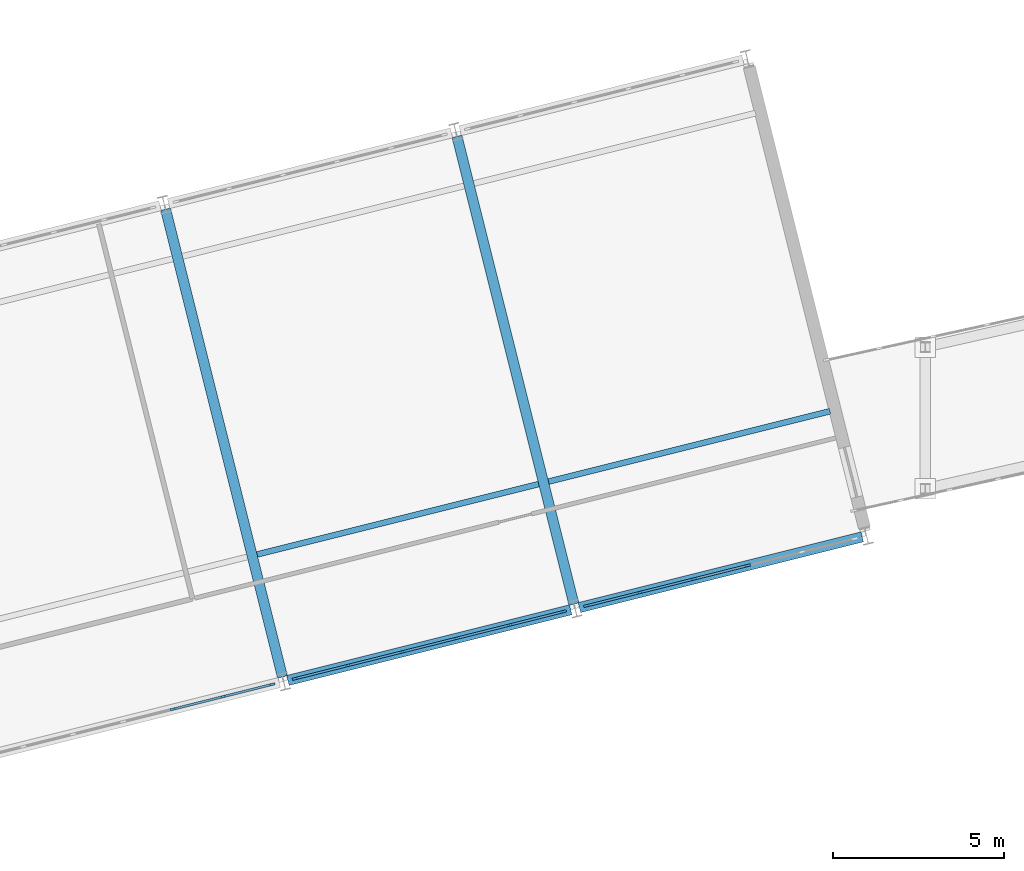
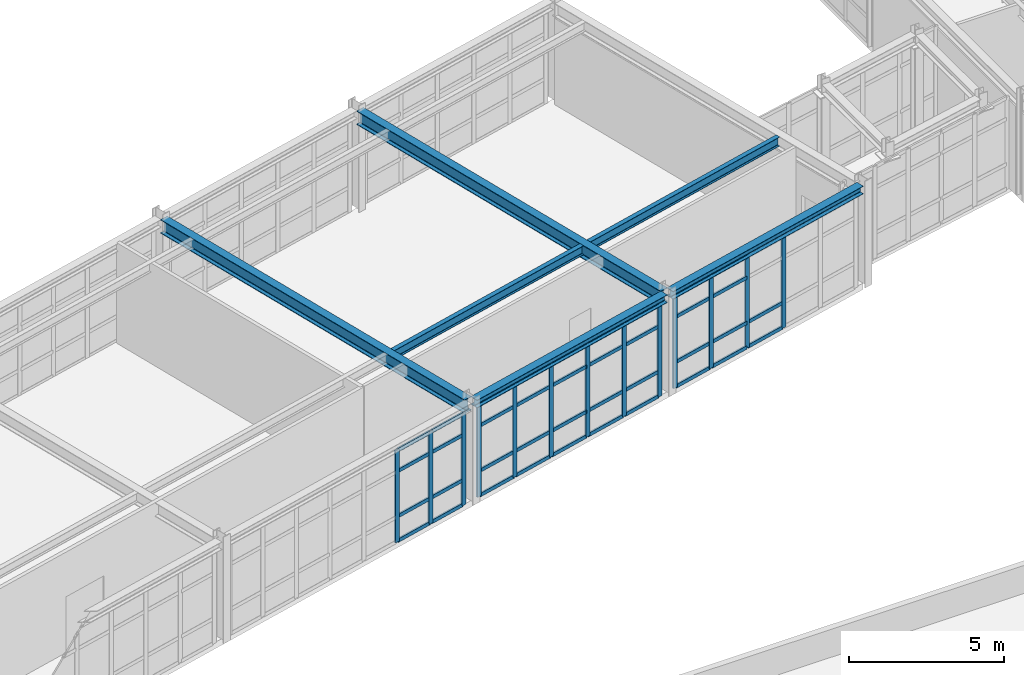
# One storey, part 31 of 99: 51 members, 6 beams, 3 elements without a shape of their own.
"""IFC4 building model written with IfcOpenShell, lengths in metres."""

from ifc_helpers import new_model, si_unit, direction, frame, origin, origin_2d, place, context, subcontext, project, spatial, rectangle, i_section, extrude, material, layer, layer_set, material_profile, profile_set, type_object, element, aggregate, save


model = new_model("IFC4")

# Units and contexts
model_context = context("Model", 3, precision=1e-05, world=origin(), true_north=direction((0.0, 1.0)))
body_context = subcontext(model_context, "Body", "Model", "MODEL_VIEW")
ifc_project = project(units=[si_unit("LENGTHUNIT", "METRE"), si_unit("AREAUNIT", "SQUARE_METRE"), si_unit("VOLUMEUNIT", "CUBIC_METRE"), si_unit("PLANEANGLEUNIT", "RADIAN"), si_unit("MASSUNIT", "GRAM", prefix="KILO")], contexts=[model_context])

# Site, building, storey
site_placement = place(None, origin())
site = spatial("IfcSite", under=ifc_project, at=site_placement, CompositionType="ELEMENT")
building_placement = place(site_placement, origin())
building = spatial("IfcBuilding", under=site, at=building_placement, Name="Nordkorset Police Headquarters", CompositionType="ELEMENT")
storey_placement = place(building_placement, frame((0.0, 0.0, 5.25)))
storey = spatial("IfcBuildingStorey", under=building, at=storey_placement, Name="L01", CompositionType="ELEMENT", Elevation=5.25)

# Beams
ifc_material_1 = material(Name="Steel S355J2", Category="steel")
ifc_material_profile_1 = material_profile(ifc_material_1, i_section(OverallWidth=0.169921875, OverallDepth=0.360107421875, WebThickness=0.008056640625, FlangeThickness=0.0126953125, FilletRadius=0.01806640625, at=origin_2d()), Name="IPE 360")
ifc_profile_set_1 = profile_set([ifc_material_profile_1], Name="Steel S355J2")
beam_type_1 = type_object("IfcBeamType", Name="Beam_IPE_360", PredefinedType="BEAM", material=ifc_profile_set_1)
for number, where, z_axis, x_axis, name in (
    (1, (61.629638671875, 55.42431640625, 3.780029296875), (0.970142500145, 0.242535625036, 0.0), (-0.242535625036, 0.970142500145, 0.0), "Splayed Wing Secondary Beam L01 4-1"),
    (2, (70.166748046875, 57.55859375, 3.780029296875), (0.970144189653, 0.242528866904, 0.0), (-0.242528866904, 0.970144189653, 0.0), "Splayed Wing Secondary Beam L01 5-1"),
):
    element("IfcBeam", number, at=place(storey_placement, frame(where, z_axis=z_axis, x_axis=x_axis)), inside=storey, type_object=beam_type_1, Name=name, PredefinedType="BEAM", context=body_context, shape_type="SweptSolid", body=[
        extrude(i_section(OverallWidth=0.169921875, OverallDepth=0.360107421875, WebThickness=0.008056640625, FlangeThickness=0.0126953125, FilletRadius=0.01806640625, at=origin_2d()), origin(), (0.0, 0.0, 1.0), 8.5),
    ])

# Curtain wall, members
ifc_material_2 = material(Name="Aluminium alloy AW-6060", Category="aluminium")
ifc_layer_1 = layer(ifc_material_2, 0.179931640625, Name="Aluminium alloy AW-6060")
ifc_layer_set_1 = layer_set([ifc_layer_1], Name="Aluminium alloy AW-6060")
curtain_wall_type_1 = type_object("IfcCurtainWallType", Name="CW_Unit_1056x363", PredefinedType="USERDEFINED", material=ifc_layer_set_1)
curtain_wall_1_placement = place(storey_placement, origin())
curtain_wall_1 = element("IfcCurtainWall", 3, at=curtain_wall_1_placement, inside=storey, type_object=curtain_wall_type_1, Name="Unitised Curtain Wall L01 V4S-3", ObjectType="UNITISED CURTAIN WALL", PredefinedType="USERDEFINED")
ifc_material_3 = material(Name="Aluminium alloy AW-6060", Category="aluminium")
ifc_material_profile_2 = material_profile(ifc_material_3, rectangle(XDim=0.06494140625, YDim=0.179931640625, at=origin_2d()), Name="ALU MULL 65x180")
ifc_profile_set_2 = profile_set([ifc_material_profile_2], Name="Aluminium alloy AW-6060")
member_type_1 = type_object("IfcMemberType", Name="CW_Mullion_65x180", PredefinedType="MULLION", material=ifc_profile_set_2)
member_1_placement = place(storey_placement, frame((59.168212890625, 50.89208984375, 0.0), z_axis=(0.0, 0.0, 1.0), x_axis=(-0.242535179399, 0.970142611554, 0.0)))
member_1 = element("IfcMember", 4, at=member_1_placement, type_object=member_type_1, Name="CW-96 mullion 6", PredefinedType="MULLION", context=body_context, shape_type="SweptSolid", body=[
    extrude(rectangle(XDim=0.06494140625, YDim=0.179931640625, at=origin_2d()), origin(), (0.0, 0.0, 1.0), 3.6298828125),
])
member_2_placement = place(storey_placement, frame((60.6318359375, 51.2578125, 0.0), z_axis=(0.0, 0.0, 1.0), x_axis=(-0.242535179399, 0.970142611554, 0.0)))
member_2 = element("IfcMember", 5, at=member_2_placement, type_object=member_type_1, Name="CW-96 mullion 7", PredefinedType="MULLION", context=body_context, shape_type="SweptSolid", body=[
    extrude(rectangle(XDim=0.06494140625, YDim=0.179931640625, at=origin_2d()), origin(), (0.0, 0.0, 1.0), 3.6298828125),
])
member_3_placement = place(storey_placement, frame((62.063720703125, 51.615966796875, 0.0), z_axis=(0.0, 0.0, 1.0), x_axis=(-0.242535179399, 0.970142611554, 0.0)))
member_3 = element("IfcMember", 6, at=member_3_placement, type_object=member_type_1, Name="CW-96 mullion 8", PredefinedType="MULLION", context=body_context, shape_type="SweptSolid", body=[
    extrude(rectangle(XDim=0.06494140625, YDim=0.179931640625, at=origin_2d()), origin(), (0.0, 0.0, 1.0), 3.6298828125),
])

ifc_material_4 = material(Name="Aluminium alloy AW-6060", Category="aluminium")
ifc_layer_2 = layer(ifc_material_4, 0.179931640625, Name="Aluminium alloy AW-6060")
ifc_layer_set_2 = layer_set([ifc_layer_2], Name="Aluminium alloy AW-6060")
curtain_wall_type_2 = type_object("IfcCurtainWallType", Name="CW_Unit_816x363", PredefinedType="USERDEFINED", material=ifc_layer_set_2)
curtain_wall_2_placement = place(storey_placement, origin())
curtain_wall_2 = element("IfcCurtainWall", 7, at=curtain_wall_2_placement, inside=storey, type_object=curtain_wall_type_2, Name="Unitised Curtain Wall L01 V4S-4", ObjectType="UNITISED CURTAIN WALL", PredefinedType="USERDEFINED")
member_4_placement = place(storey_placement, frame((62.74755859375, 51.786865234375, 0.0), z_axis=(0.0, 0.0, 1.0), x_axis=(-0.242535625038, 0.970142500145, 0.0)))
member_4 = element("IfcMember", 8, at=member_4_placement, type_object=member_type_1, Name="CW-34 mullion 1", PredefinedType="MULLION", context=body_context, shape_type="SweptSolid", body=[
    extrude(rectangle(XDim=0.06494140625, YDim=0.179931640625, at=origin_2d()), origin(), (0.0, 0.0, 1.0), 3.6298828125),
])
member_5_placement = place(storey_placement, frame((64.29931640625, 52.1748046875, 0.0), z_axis=(0.0, 0.0, 1.0), x_axis=(-0.242535625038, 0.970142500145, 0.0)))
member_5 = element("IfcMember", 9, at=member_5_placement, type_object=member_type_1, Name="CW-34 mullion 2", PredefinedType="MULLION", context=body_context, shape_type="SweptSolid", body=[
    extrude(rectangle(XDim=0.06494140625, YDim=0.179931640625, at=origin_2d()), origin(), (0.0, 0.0, 1.0), 3.6298828125),
])
member_6_placement = place(storey_placement, frame((65.8828125, 52.570556640625, 0.0), z_axis=(0.0, 0.0, 1.0), x_axis=(-0.242535625038, 0.970142500145, 0.0)))
member_6 = element("IfcMember", 10, at=member_6_placement, type_object=member_type_1, Name="CW-34 mullion 3", PredefinedType="MULLION", context=body_context, shape_type="SweptSolid", body=[
    extrude(rectangle(XDim=0.06494140625, YDim=0.179931640625, at=origin_2d()), origin(), (0.0, 0.0, 1.0), 3.6298828125),
])
member_7_placement = place(storey_placement, frame((67.466064453125, 52.966552734375, 0.0), z_axis=(0.0, 0.0, 1.0), x_axis=(-0.242535625038, 0.970142500145, 0.0)))
member_7 = element("IfcMember", 11, at=member_7_placement, type_object=member_type_1, Name="CW-34 mullion 4", PredefinedType="MULLION", context=body_context, shape_type="SweptSolid", body=[
    extrude(rectangle(XDim=0.06494140625, YDim=0.179931640625, at=origin_2d()), origin(), (0.0, 0.0, 1.0), 3.6298828125),
])
member_8_placement = place(storey_placement, frame((69.04931640625, 53.3623046875, 0.0), z_axis=(0.0, 0.0, 1.0), x_axis=(-0.242535625038, 0.970142500145, 0.0)))
member_8 = element("IfcMember", 12, at=member_8_placement, type_object=member_type_1, Name="CW-34 mullion 5", PredefinedType="MULLION", context=body_context, shape_type="SweptSolid", body=[
    extrude(rectangle(XDim=0.06494140625, YDim=0.179931640625, at=origin_2d()), origin(), (0.0, 0.0, 1.0), 3.6298828125),
])
member_9_placement = place(storey_placement, frame((70.60107421875, 53.750244140625, 0.0), z_axis=(0.0, 0.0, 1.0), x_axis=(-0.242535625038, 0.970142500145, 0.0)))
member_9 = element("IfcMember", 13, at=member_9_placement, type_object=member_type_1, Name="CW-34 mullion 6", PredefinedType="MULLION", context=body_context, shape_type="SweptSolid", body=[
    extrude(rectangle(XDim=0.06494140625, YDim=0.179931640625, at=origin_2d()), origin(), (0.0, 0.0, 1.0), 3.6298828125),
])

curtain_wall_3_placement = place(storey_placement, origin())
curtain_wall_3 = element("IfcCurtainWall", 14, at=curtain_wall_3_placement, inside=storey, type_object=curtain_wall_type_2, Name="Unitised Curtain Wall L01 V4S-5", ObjectType="UNITISED CURTAIN WALL", PredefinedType="USERDEFINED")
member_10_placement = place(storey_placement, frame((71.284912109375, 53.921142578125, 0.0), z_axis=(0.0, 0.0, 1.0), x_axis=(-0.242535625038, 0.970142500145, 0.0)))
member_10 = element("IfcMember", 15, at=member_10_placement, type_object=member_type_1, Name="CW-34 mullion 1", PredefinedType="MULLION", context=body_context, shape_type="SweptSolid", body=[
    extrude(rectangle(XDim=0.06494140625, YDim=0.179931640625, at=origin_2d()), origin(), (0.0, 0.0, 1.0), 3.6298828125),
])
member_11_placement = place(storey_placement, frame((72.836669921875, 54.30908203125, 0.0), z_axis=(0.0, 0.0, 1.0), x_axis=(-0.242535625038, 0.970142500145, 0.0)))
member_11 = element("IfcMember", 16, at=member_11_placement, type_object=member_type_1, Name="CW-34 mullion 2", PredefinedType="MULLION", context=body_context, shape_type="SweptSolid", body=[
    extrude(rectangle(XDim=0.06494140625, YDim=0.179931640625, at=origin_2d()), origin(), (0.0, 0.0, 1.0), 3.6298828125),
])
member_12_placement = place(storey_placement, frame((74.419921875, 54.705078125, 0.0), z_axis=(0.0, 0.0, 1.0), x_axis=(-0.242535625038, 0.970142500145, 0.0)))
member_12 = element("IfcMember", 17, at=member_12_placement, type_object=member_type_1, Name="CW-34 mullion 3", PredefinedType="MULLION", context=body_context, shape_type="SweptSolid", body=[
    extrude(rectangle(XDim=0.06494140625, YDim=0.179931640625, at=origin_2d()), origin(), (0.0, 0.0, 1.0), 3.6298828125),
])
member_13_placement = place(storey_placement, frame((76.003173828125, 55.100830078125, 0.0), z_axis=(0.0, 0.0, 1.0), x_axis=(-0.242535625038, 0.970142500145, 0.0)))
member_13 = element("IfcMember", 18, at=member_13_placement, type_object=member_type_1, Name="CW-34 mullion 4", PredefinedType="MULLION", context=body_context, shape_type="SweptSolid", body=[
    extrude(rectangle(XDim=0.06494140625, YDim=0.179931640625, at=origin_2d()), origin(), (0.0, 0.0, 1.0), 3.6298828125),
])

# Member
ifc_material_5 = material(Name="Aluminium alloy AW-6060", Category="aluminium")
ifc_material_profile_3 = material_profile(ifc_material_5, rectangle(XDim=0.06494140625, YDim=0.139892578125, at=origin_2d()), Name="ALU TRAN 65x140")
ifc_profile_set_3 = profile_set([ifc_material_profile_3], Name="Aluminium alloy AW-6060")
member_type_2 = type_object("IfcMemberType", Name="CW_Transom_65x140", PredefinedType="USERDEFINED", material=ifc_profile_set_3)
member_14_placement = place(storey_placement, frame((59.19970703125, 50.89990234375, 0.032470703125), z_axis=(0.970142500145, 0.242535625036, 0.0), x_axis=(-0.242535625036, 0.970142500145, 0.0)))
member_14 = element("IfcMember", 19, at=member_14_placement, type_object=member_type_2, Name="CW-96 transom 6.1", ObjectType="TRANSOM", PredefinedType="USERDEFINED", context=body_context, shape_type="SweptSolid", body=[
    extrude(rectangle(XDim=0.06494140625, YDim=0.139892578125, at=origin_2d()), origin(), (0.0, 0.0, 1.0), 1.443603515625),
])

member_15_placement = place(storey_placement, frame((59.19970703125, 50.89990234375, 1.0), z_axis=(0.970142500145, 0.242535625036, 0.0), x_axis=(-0.242535625036, 0.970142500145, 0.0)))
member_15 = element("IfcMember", 20, at=member_15_placement, type_object=member_type_2, Name="CW-96 transom 6.2", ObjectType="TRANSOM", PredefinedType="USERDEFINED", context=body_context, shape_type="SweptSolid", body=[
    extrude(rectangle(XDim=0.06494140625, YDim=0.139892578125, at=origin_2d()), origin(), (0.0, 0.0, 1.0), 1.443603515625),
])

member_16_placement = place(storey_placement, frame((59.19970703125, 50.89990234375, 2.780029296875), z_axis=(0.970142500145, 0.242535625036, 0.0), x_axis=(-0.242535625036, 0.970142500145, 0.0)))
member_16 = element("IfcMember", 21, at=member_16_placement, type_object=member_type_2, Name="CW-96 transom 6.3", ObjectType="TRANSOM", PredefinedType="USERDEFINED", context=body_context, shape_type="SweptSolid", body=[
    extrude(rectangle(XDim=0.06494140625, YDim=0.139892578125, at=origin_2d()), origin(), (0.0, 0.0, 1.0), 1.443603515625),
])

member_17_placement = place(storey_placement, frame((59.19970703125, 50.89990234375, 3.597412109375), z_axis=(0.970142500145, 0.242535625036, 0.0), x_axis=(-0.242535625036, 0.970142500145, 0.0)))
member_17 = element("IfcMember", 22, at=member_17_placement, type_object=member_type_2, Name="CW-96 transom 6.4", ObjectType="TRANSOM", PredefinedType="USERDEFINED", context=body_context, shape_type="SweptSolid", body=[
    extrude(rectangle(XDim=0.06494140625, YDim=0.139892578125, at=origin_2d()), origin(), (0.0, 0.0, 1.0), 1.443603515625),
])

member_18_placement = place(storey_placement, frame((60.663330078125, 51.265869140625, 0.032470703125), z_axis=(0.970132321548, 0.242576335796, 0.0), x_axis=(-0.242576335796, 0.970132321548, 0.0)))
member_18 = element("IfcMember", 23, at=member_18_placement, type_object=member_type_2, Name="CW-96 transom 7.1", ObjectType="TRANSOM", PredefinedType="USERDEFINED", context=body_context, shape_type="SweptSolid", body=[
    extrude(rectangle(XDim=0.06494140625, YDim=0.139892578125, at=origin_2d()), origin(), (0.0, 0.0, 1.0), 1.4111328125),
])

member_19_placement = place(storey_placement, frame((60.663330078125, 51.265869140625, 1.0), z_axis=(0.970132321548, 0.242576335796, 0.0), x_axis=(-0.242576335796, 0.970132321548, 0.0)))
member_19 = element("IfcMember", 24, at=member_19_placement, type_object=member_type_2, Name="CW-96 transom 7.2", ObjectType="TRANSOM", PredefinedType="USERDEFINED", context=body_context, shape_type="SweptSolid", body=[
    extrude(rectangle(XDim=0.06494140625, YDim=0.139892578125, at=origin_2d()), origin(), (0.0, 0.0, 1.0), 1.4111328125),
])

member_20_placement = place(storey_placement, frame((60.663330078125, 51.265869140625, 2.780029296875), z_axis=(0.970132321548, 0.242576335796, 0.0), x_axis=(-0.242576335796, 0.970132321548, 0.0)))
member_20 = element("IfcMember", 25, at=member_20_placement, type_object=member_type_2, Name="CW-96 transom 7.3", ObjectType="TRANSOM", PredefinedType="USERDEFINED", context=body_context, shape_type="SweptSolid", body=[
    extrude(rectangle(XDim=0.06494140625, YDim=0.139892578125, at=origin_2d()), origin(), (0.0, 0.0, 1.0), 1.4111328125),
])

member_21_placement = place(storey_placement, frame((60.663330078125, 51.265869140625, 3.597412109375), z_axis=(0.970132321548, 0.242576335796, 0.0), x_axis=(-0.242576335796, 0.970132321548, 0.0)))
member_21 = element("IfcMember", 26, at=member_21_placement, type_object=member_type_2, Name="CW-96 transom 7.4", ObjectType="TRANSOM", PredefinedType="USERDEFINED", context=body_context, shape_type="SweptSolid", body=[
    extrude(rectangle(XDim=0.06494140625, YDim=0.139892578125, at=origin_2d()), origin(), (0.0, 0.0, 1.0), 1.4111328125),
])

aggregate(curtain_wall_1, [member_1, member_2, member_3, member_14, member_15, member_16, member_17, member_18, member_19, member_20, member_21])

member_22_placement = place(storey_placement, frame((62.779296875, 51.794921875, 0.032470703125), z_axis=(0.970151859396, 0.242498184963, 0.0), x_axis=(-0.242498184963, 0.970151859396, 0.0)))
member_22 = element("IfcMember", 27, at=member_22_placement, type_object=member_type_2, Name="CW-34 transom 1.1", ObjectType="TRANSOM", PredefinedType="USERDEFINED", context=body_context, shape_type="SweptSolid", body=[
    extrude(rectangle(XDim=0.06494140625, YDim=0.139892578125, at=origin_2d()), origin(), (0.0, 0.0, 1.0), 1.534423828125),
])

member_23_placement = place(storey_placement, frame((62.779296875, 51.794921875, 1.0), z_axis=(0.970151859396, 0.242498184963, 0.0), x_axis=(-0.242498184963, 0.970151859396, 0.0)))
member_23 = element("IfcMember", 28, at=member_23_placement, type_object=member_type_2, Name="CW-34 transom 1.2", ObjectType="TRANSOM", PredefinedType="USERDEFINED", context=body_context, shape_type="SweptSolid", body=[
    extrude(rectangle(XDim=0.06494140625, YDim=0.139892578125, at=origin_2d()), origin(), (0.0, 0.0, 1.0), 1.534423828125),
])

member_24_placement = place(storey_placement, frame((62.779296875, 51.794921875, 2.780029296875), z_axis=(0.970151859396, 0.242498184963, 0.0), x_axis=(-0.242498184963, 0.970151859396, 0.0)))
member_24 = element("IfcMember", 29, at=member_24_placement, type_object=member_type_2, Name="CW-34 transom 1.3", ObjectType="TRANSOM", PredefinedType="USERDEFINED", context=body_context, shape_type="SweptSolid", body=[
    extrude(rectangle(XDim=0.06494140625, YDim=0.139892578125, at=origin_2d()), origin(), (0.0, 0.0, 1.0), 1.534423828125),
])

member_25_placement = place(storey_placement, frame((62.779296875, 51.794921875, 3.597412109375), z_axis=(0.970151859396, 0.242498184963, 0.0), x_axis=(-0.242498184963, 0.970151859396, 0.0)))
member_25 = element("IfcMember", 30, at=member_25_placement, type_object=member_type_2, Name="CW-34 transom 1.4", ObjectType="TRANSOM", PredefinedType="USERDEFINED", context=body_context, shape_type="SweptSolid", body=[
    extrude(rectangle(XDim=0.06494140625, YDim=0.139892578125, at=origin_2d()), origin(), (0.0, 0.0, 1.0), 1.534423828125),
])

member_26_placement = place(storey_placement, frame((64.3310546875, 52.182861328125, 0.032470703125), z_axis=(0.970160829621, 0.242462295357, 0.0), x_axis=(-0.242462295357, 0.970160829621, 0.0)))
member_26 = element("IfcMember", 31, at=member_26_placement, type_object=member_type_2, Name="CW-34 transom 2.1", ObjectType="TRANSOM", PredefinedType="USERDEFINED", context=body_context, shape_type="SweptSolid", body=[
    extrude(rectangle(XDim=0.06494140625, YDim=0.139892578125, at=origin_2d()), origin(), (0.0, 0.0, 1.0), 1.566650390625),
])

member_27_placement = place(storey_placement, frame((64.3310546875, 52.182861328125, 1.0), z_axis=(0.970160829621, 0.242462295357, 0.0), x_axis=(-0.242462295357, 0.970160829621, 0.0)))
member_27 = element("IfcMember", 32, at=member_27_placement, type_object=member_type_2, Name="CW-34 transom 2.2", ObjectType="TRANSOM", PredefinedType="USERDEFINED", context=body_context, shape_type="SweptSolid", body=[
    extrude(rectangle(XDim=0.06494140625, YDim=0.139892578125, at=origin_2d()), origin(), (0.0, 0.0, 1.0), 1.566650390625),
])

member_28_placement = place(storey_placement, frame((64.3310546875, 52.182861328125, 2.780029296875), z_axis=(0.970160829621, 0.242462295357, 0.0), x_axis=(-0.242462295357, 0.970160829621, 0.0)))
member_28 = element("IfcMember", 33, at=member_28_placement, type_object=member_type_2, Name="CW-34 transom 2.3", ObjectType="TRANSOM", PredefinedType="USERDEFINED", context=body_context, shape_type="SweptSolid", body=[
    extrude(rectangle(XDim=0.06494140625, YDim=0.139892578125, at=origin_2d()), origin(), (0.0, 0.0, 1.0), 1.566650390625),
])

member_29_placement = place(storey_placement, frame((64.3310546875, 52.182861328125, 3.597412109375), z_axis=(0.970160829621, 0.242462295357, 0.0), x_axis=(-0.242462295357, 0.970160829621, 0.0)))
member_29 = element("IfcMember", 34, at=member_29_placement, type_object=member_type_2, Name="CW-34 transom 2.4", ObjectType="TRANSOM", PredefinedType="USERDEFINED", context=body_context, shape_type="SweptSolid", body=[
    extrude(rectangle(XDim=0.06494140625, YDim=0.139892578125, at=origin_2d()), origin(), (0.0, 0.0, 1.0), 1.566650390625),
])

member_30_placement = place(storey_placement, frame((65.914306640625, 52.57861328125, 0.032470703125), z_axis=(0.970160829621, 0.242462295357, 0.0), x_axis=(-0.242462295357, 0.970160829621, 0.0)))
member_30 = element("IfcMember", 35, at=member_30_placement, type_object=member_type_2, Name="CW-34 transom 3.1", ObjectType="TRANSOM", PredefinedType="USERDEFINED", context=body_context, shape_type="SweptSolid", body=[
    extrude(rectangle(XDim=0.06494140625, YDim=0.139892578125, at=origin_2d()), origin(), (0.0, 0.0, 1.0), 1.566650390625),
])

member_31_placement = place(storey_placement, frame((65.914306640625, 52.57861328125, 1.0), z_axis=(0.970160829621, 0.242462295357, 0.0), x_axis=(-0.242462295357, 0.970160829621, 0.0)))
member_31 = element("IfcMember", 36, at=member_31_placement, type_object=member_type_2, Name="CW-34 transom 3.2", ObjectType="TRANSOM", PredefinedType="USERDEFINED", context=body_context, shape_type="SweptSolid", body=[
    extrude(rectangle(XDim=0.06494140625, YDim=0.139892578125, at=origin_2d()), origin(), (0.0, 0.0, 1.0), 1.566650390625),
])

member_32_placement = place(storey_placement, frame((65.914306640625, 52.57861328125, 2.780029296875), z_axis=(0.970160829621, 0.242462295357, 0.0), x_axis=(-0.242462295357, 0.970160829621, 0.0)))
member_32 = element("IfcMember", 37, at=member_32_placement, type_object=member_type_2, Name="CW-34 transom 3.3", ObjectType="TRANSOM", PredefinedType="USERDEFINED", context=body_context, shape_type="SweptSolid", body=[
    extrude(rectangle(XDim=0.06494140625, YDim=0.139892578125, at=origin_2d()), origin(), (0.0, 0.0, 1.0), 1.566650390625),
])

member_33_placement = place(storey_placement, frame((65.914306640625, 52.57861328125, 3.597412109375), z_axis=(0.970160829621, 0.242462295357, 0.0), x_axis=(-0.242462295357, 0.970160829621, 0.0)))
member_33 = element("IfcMember", 38, at=member_33_placement, type_object=member_type_2, Name="CW-34 transom 3.4", ObjectType="TRANSOM", PredefinedType="USERDEFINED", context=body_context, shape_type="SweptSolid", body=[
    extrude(rectangle(XDim=0.06494140625, YDim=0.139892578125, at=origin_2d()), origin(), (0.0, 0.0, 1.0), 1.566650390625),
])

member_34_placement = place(storey_placement, frame((67.49755859375, 52.974365234375, 0.032470703125), z_axis=(0.970133335061, 0.24257228243, 0.0), x_axis=(-0.24257228243, 0.970133335061, 0.0)))
member_34 = element("IfcMember", 39, at=member_34_placement, type_object=member_type_2, Name="CW-34 transom 4.1", ObjectType="TRANSOM", PredefinedType="USERDEFINED", context=body_context, shape_type="SweptSolid", body=[
    extrude(rectangle(XDim=0.06494140625, YDim=0.139892578125, at=origin_2d()), origin(), (0.0, 0.0, 1.0), 1.567138671875),
])

member_35_placement = place(storey_placement, frame((67.49755859375, 52.974365234375, 1.0), z_axis=(0.970133335061, 0.24257228243, 0.0), x_axis=(-0.24257228243, 0.970133335061, 0.0)))
member_35 = element("IfcMember", 40, at=member_35_placement, type_object=member_type_2, Name="CW-34 transom 4.2", ObjectType="TRANSOM", PredefinedType="USERDEFINED", context=body_context, shape_type="SweptSolid", body=[
    extrude(rectangle(XDim=0.06494140625, YDim=0.139892578125, at=origin_2d()), origin(), (0.0, 0.0, 1.0), 1.567138671875),
])

member_36_placement = place(storey_placement, frame((67.49755859375, 52.974365234375, 2.780029296875), z_axis=(0.970133335061, 0.24257228243, 0.0), x_axis=(-0.24257228243, 0.970133335061, 0.0)))
member_36 = element("IfcMember", 41, at=member_36_placement, type_object=member_type_2, Name="CW-34 transom 4.3", ObjectType="TRANSOM", PredefinedType="USERDEFINED", context=body_context, shape_type="SweptSolid", body=[
    extrude(rectangle(XDim=0.06494140625, YDim=0.139892578125, at=origin_2d()), origin(), (0.0, 0.0, 1.0), 1.567138671875),
])

member_37_placement = place(storey_placement, frame((67.49755859375, 52.974365234375, 3.597412109375), z_axis=(0.970133335061, 0.24257228243, 0.0), x_axis=(-0.24257228243, 0.970133335061, 0.0)))
member_37 = element("IfcMember", 42, at=member_37_placement, type_object=member_type_2, Name="CW-34 transom 4.4", ObjectType="TRANSOM", PredefinedType="USERDEFINED", context=body_context, shape_type="SweptSolid", body=[
    extrude(rectangle(XDim=0.06494140625, YDim=0.139892578125, at=origin_2d()), origin(), (0.0, 0.0, 1.0), 1.567138671875),
])

member_38_placement = place(storey_placement, frame((69.080810546875, 53.3701171875, 0.032470703125), z_axis=(0.970114414808, 0.242647938754, 0.0), x_axis=(-0.242647938754, 0.970114414808, 0.0)))
member_38 = element("IfcMember", 43, at=member_38_placement, type_object=member_type_2, Name="CW-34 transom 5.1", ObjectType="TRANSOM", PredefinedType="USERDEFINED", context=body_context, shape_type="SweptSolid", body=[
    extrude(rectangle(XDim=0.06494140625, YDim=0.139892578125, at=origin_2d()), origin(), (0.0, 0.0, 1.0), 1.534423828125),
])

member_39_placement = place(storey_placement, frame((69.080810546875, 53.3701171875, 1.0), z_axis=(0.970114414808, 0.242647938754, 0.0), x_axis=(-0.242647938754, 0.970114414808, 0.0)))
member_39 = element("IfcMember", 44, at=member_39_placement, type_object=member_type_2, Name="CW-34 transom 5.2", ObjectType="TRANSOM", PredefinedType="USERDEFINED", context=body_context, shape_type="SweptSolid", body=[
    extrude(rectangle(XDim=0.06494140625, YDim=0.139892578125, at=origin_2d()), origin(), (0.0, 0.0, 1.0), 1.534423828125),
])

member_40_placement = place(storey_placement, frame((69.080810546875, 53.3701171875, 2.780029296875), z_axis=(0.970114414808, 0.242647938754, 0.0), x_axis=(-0.242647938754, 0.970114414808, 0.0)))
member_40 = element("IfcMember", 45, at=member_40_placement, type_object=member_type_2, Name="CW-34 transom 5.3", ObjectType="TRANSOM", PredefinedType="USERDEFINED", context=body_context, shape_type="SweptSolid", body=[
    extrude(rectangle(XDim=0.06494140625, YDim=0.139892578125, at=origin_2d()), origin(), (0.0, 0.0, 1.0), 1.534423828125),
])

member_41_placement = place(storey_placement, frame((69.080810546875, 53.3701171875, 3.597412109375), z_axis=(0.970114414808, 0.242647938754, 0.0), x_axis=(-0.242647938754, 0.970114414808, 0.0)))
member_41 = element("IfcMember", 46, at=member_41_placement, type_object=member_type_2, Name="CW-34 transom 5.4", ObjectType="TRANSOM", PredefinedType="USERDEFINED", context=body_context, shape_type="SweptSolid", body=[
    extrude(rectangle(XDim=0.06494140625, YDim=0.139892578125, at=origin_2d()), origin(), (0.0, 0.0, 1.0), 1.534423828125),
])

aggregate(curtain_wall_2, [member_4, member_5, member_6, member_7, member_8, member_9, member_22, member_23, member_24, member_25, member_26, member_27, member_28, member_29, member_30, member_31, member_32, member_33, member_34, member_35, member_36, member_37, member_38, member_39, member_40, member_41])

member_42_placement = place(storey_placement, frame((71.31640625, 53.92919921875, 0.032470703125), z_axis=(0.970161214313, 0.242460756086, 0.0), x_axis=(-0.242460756086, 0.970161214313, 0.0)))
member_42 = element("IfcMember", 47, at=member_42_placement, type_object=member_type_2, Name="CW-34 transom 1.1", ObjectType="TRANSOM", PredefinedType="USERDEFINED", context=body_context, shape_type="SweptSolid", body=[
    extrude(rectangle(XDim=0.06494140625, YDim=0.139892578125, at=origin_2d()), origin(), (0.0, 0.0, 1.0), 1.53466796875),
])

member_43_placement = place(storey_placement, frame((71.31640625, 53.92919921875, 1.0), z_axis=(0.970161214313, 0.242460756086, 0.0), x_axis=(-0.242460756086, 0.970161214313, 0.0)))
member_43 = element("IfcMember", 48, at=member_43_placement, type_object=member_type_2, Name="CW-34 transom 1.2", ObjectType="TRANSOM", PredefinedType="USERDEFINED", context=body_context, shape_type="SweptSolid", body=[
    extrude(rectangle(XDim=0.06494140625, YDim=0.139892578125, at=origin_2d()), origin(), (0.0, 0.0, 1.0), 1.53466796875),
])

member_44_placement = place(storey_placement, frame((71.31640625, 53.92919921875, 2.780029296875), z_axis=(0.970161214313, 0.242460756086, 0.0), x_axis=(-0.242460756086, 0.970161214313, 0.0)))
member_44 = element("IfcMember", 49, at=member_44_placement, type_object=member_type_2, Name="CW-34 transom 1.3", ObjectType="TRANSOM", PredefinedType="USERDEFINED", context=body_context, shape_type="SweptSolid", body=[
    extrude(rectangle(XDim=0.06494140625, YDim=0.139892578125, at=origin_2d()), origin(), (0.0, 0.0, 1.0), 1.53466796875),
])

member_45_placement = place(storey_placement, frame((71.31640625, 53.92919921875, 3.597412109375), z_axis=(0.970161214313, 0.242460756086, 0.0), x_axis=(-0.242460756086, 0.970161214313, 0.0)))
member_45 = element("IfcMember", 50, at=member_45_placement, type_object=member_type_2, Name="CW-34 transom 1.4", ObjectType="TRANSOM", PredefinedType="USERDEFINED", context=body_context, shape_type="SweptSolid", body=[
    extrude(rectangle(XDim=0.06494140625, YDim=0.139892578125, at=origin_2d()), origin(), (0.0, 0.0, 1.0), 1.53466796875),
])

member_46_placement = place(storey_placement, frame((72.8681640625, 54.317138671875, 0.032470703125), z_axis=(0.970169988125, 0.242425646623, 0.0), x_axis=(-0.242425646623, 0.970169988125, 0.0)))
member_46 = element("IfcMember", 51, at=member_46_placement, type_object=member_type_2, Name="CW-34 transom 2.1", ObjectType="TRANSOM", PredefinedType="USERDEFINED", context=body_context, shape_type="SweptSolid", body=[
    extrude(rectangle(XDim=0.06494140625, YDim=0.139892578125, at=origin_2d()), origin(), (0.0, 0.0, 1.0), 1.56689453125),
])

member_47_placement = place(storey_placement, frame((72.8681640625, 54.317138671875, 1.0), z_axis=(0.970169988125, 0.242425646623, 0.0), x_axis=(-0.242425646623, 0.970169988125, 0.0)))
member_47 = element("IfcMember", 52, at=member_47_placement, type_object=member_type_2, Name="CW-34 transom 2.2", ObjectType="TRANSOM", PredefinedType="USERDEFINED", context=body_context, shape_type="SweptSolid", body=[
    extrude(rectangle(XDim=0.06494140625, YDim=0.139892578125, at=origin_2d()), origin(), (0.0, 0.0, 1.0), 1.56689453125),
])

member_48_placement = place(storey_placement, frame((72.8681640625, 54.317138671875, 2.780029296875), z_axis=(0.970169988125, 0.242425646623, 0.0), x_axis=(-0.242425646623, 0.970169988125, 0.0)))
member_48 = element("IfcMember", 53, at=member_48_placement, type_object=member_type_2, Name="CW-34 transom 2.3", ObjectType="TRANSOM", PredefinedType="USERDEFINED", context=body_context, shape_type="SweptSolid", body=[
    extrude(rectangle(XDim=0.06494140625, YDim=0.139892578125, at=origin_2d()), origin(), (0.0, 0.0, 1.0), 1.56689453125),
])

member_49_placement = place(storey_placement, frame((72.8681640625, 54.317138671875, 3.597412109375), z_axis=(0.970169988125, 0.242425646623, 0.0), x_axis=(-0.242425646623, 0.970169988125, 0.0)))
member_49 = element("IfcMember", 54, at=member_49_placement, type_object=member_type_2, Name="CW-34 transom 2.4", ObjectType="TRANSOM", PredefinedType="USERDEFINED", context=body_context, shape_type="SweptSolid", body=[
    extrude(rectangle(XDim=0.06494140625, YDim=0.139892578125, at=origin_2d()), origin(), (0.0, 0.0, 1.0), 1.56689453125),
])

member_50_placement = place(storey_placement, frame((74.451416015625, 54.712890625, 0.032470703125), z_axis=(0.970133335061, 0.24257228243, 0.0), x_axis=(-0.24257228243, 0.970133335061, 0.0)))
member_50 = element("IfcMember", 55, at=member_50_placement, type_object=member_type_2, Name="CW-34 transom 3.1", ObjectType="TRANSOM", PredefinedType="USERDEFINED", context=body_context, shape_type="SweptSolid", body=[
    extrude(rectangle(XDim=0.06494140625, YDim=0.139892578125, at=origin_2d()), origin(), (0.0, 0.0, 1.0), 1.567138671875),
])

member_51_placement = place(storey_placement, frame((74.451416015625, 54.712890625, 1.0), z_axis=(0.970133335061, 0.24257228243, 0.0), x_axis=(-0.24257228243, 0.970133335061, 0.0)))
member_51 = element("IfcMember", 56, at=member_51_placement, type_object=member_type_2, Name="CW-34 transom 3.2", ObjectType="TRANSOM", PredefinedType="USERDEFINED", context=body_context, shape_type="SweptSolid", body=[
    extrude(rectangle(XDim=0.06494140625, YDim=0.139892578125, at=origin_2d()), origin(), (0.0, 0.0, 1.0), 1.567138671875),
])

aggregate(curtain_wall_3, [member_10, member_11, member_12, member_13, member_42, member_43, member_44, member_45, member_46, member_47, member_48, member_49, member_50, member_51])

# Beams
ifc_material_6 = material(Name="Steel S355J2", Category="steel")
ifc_material_profile_4 = material_profile(ifc_material_6, i_section(OverallWidth=0.300048828125, OverallDepth=0.5400390625, WebThickness=0.012451171875, FlangeThickness=0.02392578125, FilletRadius=0.027099609375, at=origin_2d()), Name="HEA 550")
ifc_profile_set_4 = profile_set([ifc_material_profile_4], Name="Steel S355J2")
beam_type_2 = type_object("IfcBeamType", Name="Girder_HEA_550", PredefinedType="USERDEFINED", material=ifc_profile_set_4)
beam_1_placement = place(storey_placement, frame((62.371826171875, 51.837158203125, 3.68994140625), z_axis=(-0.24254782991, 0.970139448845, 0.0), x_axis=(-0.970139448845, -0.24254782991, 0.0)))
element("IfcBeam", 57, at=beam_1_placement, inside=storey, type_object=beam_type_2, Name="Splayed Wing Transverse Girder L01 4", ObjectType="GIRDER", PredefinedType="USERDEFINED", context=body_context, shape_type="SweptSolid", body=[
    extrude(i_section(OverallWidth=0.300048828125, OverallDepth=0.5400390625, WebThickness=0.012451171875, FlangeThickness=0.02392578125, FilletRadius=0.027099609375, at=origin_2d()), origin(), (0.0, 0.0, 1.0), 14.1201171875),
])
beam_2_placement = place(storey_placement, frame((70.908935546875, 53.9716796875, 3.68994140625), z_axis=(-0.242535625036, 0.970142500145, 0.0), x_axis=(-0.970142500145, -0.242535625036, 0.0)))
element("IfcBeam", 58, at=beam_2_placement, inside=storey, type_object=beam_type_2, Name="Splayed Wing Transverse Girder L01 5", ObjectType="GIRDER", PredefinedType="USERDEFINED", context=body_context, shape_type="SweptSolid", body=[
    extrude(i_section(OverallWidth=0.300048828125, OverallDepth=0.5400390625, WebThickness=0.012451171875, FlangeThickness=0.02392578125, FilletRadius=0.027099609375, at=origin_2d()), origin(), (0.0, 0.0, 1.0), 14.119873046875),
])
ifc_material_7 = material(Name="Steel S355J2", Category="steel")
ifc_material_profile_5 = material_profile(ifc_material_7, i_section(OverallWidth=0.300048828125, OverallDepth=0.31005859375, WebThickness=0.009033203125, FlangeThickness=0.015380859375, FilletRadius=0.027099609375, at=origin_2d()), Name="HEA 320")
ifc_profile_set_5 = profile_set([ifc_material_profile_5], Name="Steel S355J2")
beam_type_3 = type_object("IfcBeamType", Name="Spandrel_HEA_320", PredefinedType="SPANDREL", material=ifc_profile_set_5)
beam_3_placement = place(storey_placement, frame((62.53173828125, 51.73291015625, 3.804931640625), z_axis=(0.970142500145, 0.242535625036, 0.0), x_axis=(-0.242535625036, 0.970142500145, 0.0)))
element("IfcBeam", 59, at=beam_3_placement, inside=storey, type_object=beam_type_3, Name="Splayed Wing Spandrel L01 4-0", PredefinedType="SPANDREL", context=body_context, shape_type="SweptSolid", body=[
    extrude(i_section(OverallWidth=0.300048828125, OverallDepth=0.31005859375, WebThickness=0.009033203125, FlangeThickness=0.015380859375, FilletRadius=0.027099609375, at=origin_2d()), origin(), (0.0, 0.0, 1.0), 8.5400390625),
])
beam_4_placement = place(storey_placement, frame((71.069091796875, 53.8671875, 3.804931640625), z_axis=(0.970140818463, 0.242542351668, 0.0), x_axis=(-0.242542351668, 0.970140818463, 0.0)))
element("IfcBeam", 60, at=beam_4_placement, inside=storey, type_object=beam_type_3, Name="Splayed Wing Spandrel L01 5-0", PredefinedType="SPANDREL", context=body_context, shape_type="SweptSolid", body=[
    extrude(i_section(OverallWidth=0.300048828125, OverallDepth=0.31005859375, WebThickness=0.009033203125, FlangeThickness=0.015380859375, FilletRadius=0.027099609375, at=origin_2d()), origin(), (0.0, 0.0, 1.0), 8.539794921875),
])

save(model, "model.ifc")
